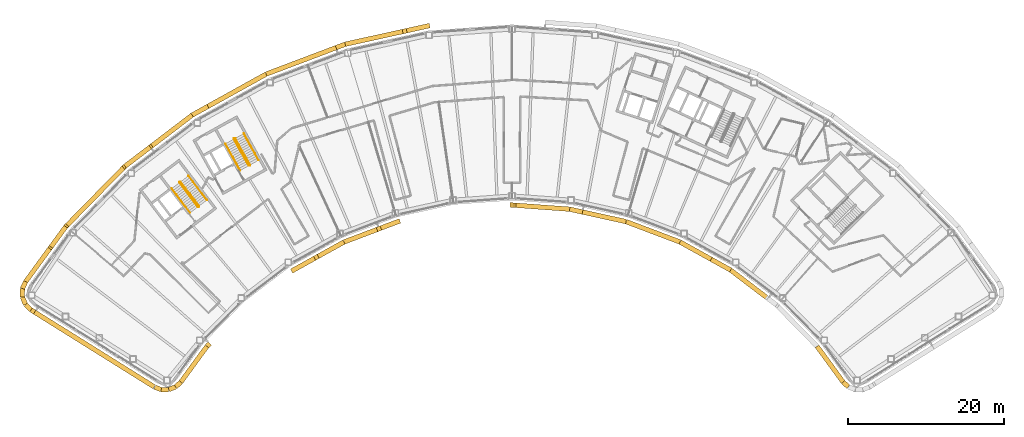
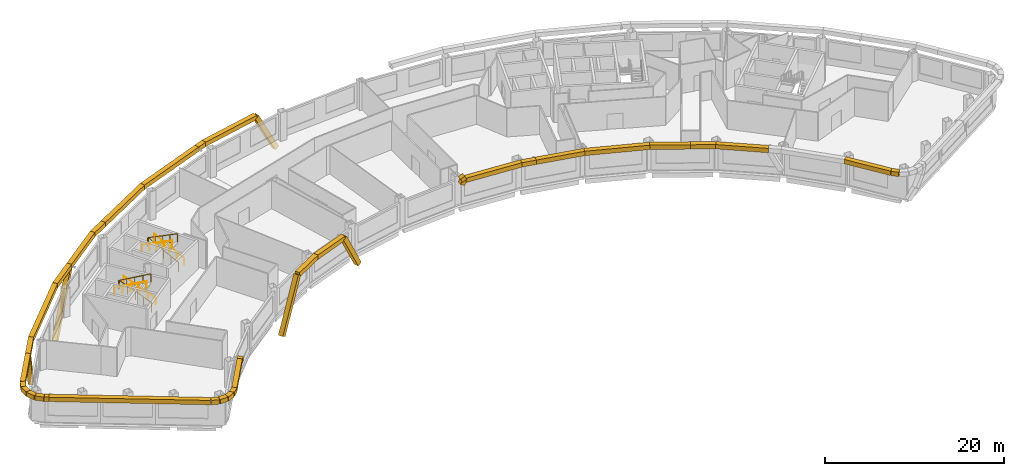
# One storey, part 14 of 16: 40 coverings, 6 railings.
"""IFC4 building model written with IfcOpenShell, lengths in metres."""

import ifcopenshell
import ifcopenshell.guid

model = None  # the IFC model being written
_history = None  # IfcOwnerHistory: only IFC2X3 demands one
_inside = {}  # id of a spatial element -> (the spatial element, [elements in it])
_under = {}  # id of a project, library or spatial element -> (it, [spatial elements below it])
_declared = {}  # id of a project -> (the project, [libraries it declares])
_typed = {}  # id of a type object -> (the type object, [elements of that type])
_made_of = {}  # id of a material, layer set ... -> (it, [elements and type objects made of it])


def new_model(schema):
    """Start an empty IFC model of exactly this schema.

    Asked for "IFC4X3", IfcOpenShell would pick the latest addendum, in which some entities
    have other attributes; the version numbers below select the first issue.
    IFC2X3 requires an IfcOwnerHistory on every rooted entity: one is made here for all.
    """
    global model, _history
    if schema == "IFC4X3":
        model = ifcopenshell.file(schema_version=(4, 3, 0, 0))
    else:
        model = ifcopenshell.file(schema=schema)
    _inside.clear()
    _under.clear()
    _declared.clear()
    _typed.clear()
    _made_of.clear()
    _history = None
    if model.schema == "IFC2X3":
        org = make("IfcOrganization", Name="unknown")
        user = make(
            "IfcPersonAndOrganization",
            ThePerson=make("IfcPerson", FamilyName="unknown"),
            TheOrganization=org,
        )
        app = make(
            "IfcApplication",
            ApplicationDeveloper=org,
            Version="unknown",
            ApplicationFullName="unknown",
            ApplicationIdentifier="unknown",
        )
        _history = make(
            "IfcOwnerHistory",
            OwningUser=user,
            OwningApplication=app,
            ChangeAction="ADDED",
            CreationDate=0,
        )
    return model


def make(cls, **values):
    """One entity of the class cls with the attributes given. An attribute that is None is left unset."""
    return model.create_entity(
        cls, **{name: value for name, value in values.items() if value is not None}
    )


def rooted(cls, **values):
    """An entity with a GlobalId (a new one), such as an element, a storey or a relation."""
    return make(cls, GlobalId=ifcopenshell.guid.new(), OwnerHistory=_history, **values)


def si_unit(unit_type, name, prefix=None):
    """IfcSIUnit, for example si_unit("LENGTHUNIT", "METRE", prefix="MILLI")."""
    return make("IfcSIUnit", UnitType=unit_type, Prefix=prefix, Name=name)


def assignment(units):
    """IfcUnitAssignment: the units of a project."""
    return None if units is None else make("IfcUnitAssignment", Units=units)


def point(xyz):
    """IfcCartesianPoint."""
    return None if xyz is None else make("IfcCartesianPoint", Coordinates=xyz)


def direction(xyz):
    """IfcDirection."""
    return None if xyz is None else make("IfcDirection", DirectionRatios=xyz)


def frame(location, z_axis=None, x_axis=None):
    """IfcAxis2Placement3D, a coordinate frame: its origin and axes. An axis left out is left unset."""
    return make(
        "IfcAxis2Placement3D",
        Location=point(location),
        Axis=direction(z_axis),
        RefDirection=direction(x_axis),
    )


def frame_2d(location, x_axis=None):
    """IfcAxis2Placement2D, a coordinate frame in the plane: its origin and x axis."""
    return make(
        "IfcAxis2Placement2D", Location=point(location), RefDirection=direction(x_axis)
    )


def origin():
    """The frame at (0, 0, 0) with its axes left unset."""
    return frame((0.0, 0.0, 0.0))


def origin_2d():
    """The frame at (0, 0) in the plane with its x axis left unset."""
    return frame_2d((0.0, 0.0))


def place(relative_to, where):
    """IfcLocalPlacement: puts the frame where relative to a parent placement (None: the world)."""
    return make(
        "IfcLocalPlacement", PlacementRelTo=relative_to, RelativePlacement=where
    )


def context(
    kind, dimensions, precision=None, world=None, true_north=None, identifier=None
):
    """IfcGeometricRepresentationContext, for example the 3D "Model" context."""
    return make(
        "IfcGeometricRepresentationContext",
        ContextIdentifier=identifier,
        ContextType=kind,
        CoordinateSpaceDimension=dimensions,
        Precision=precision,
        WorldCoordinateSystem=world,
        TrueNorth=true_north,
    )


def subcontext(parent, identifier, kind, view, scale=None):
    """IfcGeometricRepresentationSubContext, for example "Body" below "Model"."""
    return make(
        "IfcGeometricRepresentationSubContext",
        ContextIdentifier=identifier,
        ContextType=kind,
        ParentContext=parent,
        TargetScale=scale,
        TargetView=view,
    )


def project(units=None, contexts=None):
    """IfcProject with its units and contexts."""
    return rooted(
        "IfcProject",
        Name="project",
        RepresentationContexts=contexts,
        UnitsInContext=assignment(units),
    )


def spatial(cls, under=None, at=None, **own):
    """A site, building, storey or space (cls), placed at a placement, below another one or the project."""
    s = rooted(cls, ObjectPlacement=at, **own)
    if under is not None:
        _under.setdefault(under.id(), (under, []))[1].append(s)
    return s


def profile(cls, at=None, kind="AREA", **sizes):
    """A parametric profile (cls). Its sizes go by their IFC names, for example OverallWidth=200.0."""
    return make(cls, ProfileType=kind, Position=at, **sizes)


def rectangle(**sizes):
    """IfcRectangleProfileDef."""
    return profile("IfcRectangleProfileDef", **sizes)


def circle(**sizes):
    """IfcCircleProfileDef."""
    return profile("IfcCircleProfileDef", **sizes)


def extrude(swept, where, along, depth):
    """IfcExtrudedAreaSolid: the profile swept, set in the frame where, extruded along a direction by depth."""
    return make(
        "IfcExtrudedAreaSolid",
        SweptArea=swept,
        Position=where,
        ExtrudedDirection=direction(along),
        Depth=depth,
    )


def shape(context_of_items, identifier, shape_type, items):
    """IfcShapeRepresentation: the items that make up one representation, for example the "Body"."""
    return make(
        "IfcShapeRepresentation",
        ContextOfItems=context_of_items,
        RepresentationIdentifier=identifier,
        RepresentationType=shape_type,
        Items=items,
    )


def material(Name=None, Category=None):
    """IfcMaterial."""
    return make("IfcMaterial", Name=Name, Category=Category)


def material_profile(
    of_material, cross_section, Name=None, Category=None, Priority=None
):
    """IfcMaterialProfile: a cross section and its material."""
    return make(
        "IfcMaterialProfile",
        Name=Name,
        Material=of_material,
        Profile=cross_section,
        Priority=Priority,
        Category=Category,
    )


def profile_set(profiles, Name=None, composite=None):
    """IfcMaterialProfileSet."""
    return make(
        "IfcMaterialProfileSet",
        Name=Name,
        MaterialProfiles=profiles,
        CompositeProfile=composite,
    )


def made_of(thing, what):
    """Note that an element or type object is made of a material, layer set ...; save() writes the relation."""
    if what is not None:
        _made_of.setdefault(what.id(), (what, []))[1].append(thing)
    return thing


def type_object(cls, material=None, **own):
    """A type object (cls), such as IfcWallType, which elements share."""
    return made_of(rooted(cls, **own), material)


def element(
    cls,
    number,
    at=None,
    inside=None,
    cuts=None,
    type_object=None,
    material=None,
    context=None,
    identifier="Body",
    shape_type=None,
    held_by="IfcProductDefinitionShape",
    body=None,
    shapes=None,
    **own,
):
    """One element of the class cls, such as IfcWall. Its Tag is "e" and its number.

    at: its placement. inside: the storey or other place that contains it. cuts: it is an
    opening in that element (IfcRelVoidsElement). A single representation is given by context,
    identifier, shape_type and body (its items); several are given by shapes. held_by: the class
    of the entity that holds the representations. save() writes the other relations.
    """
    e = rooted(cls, Tag="e%d" % number, ObjectPlacement=at, **own)
    if body is not None:
        shapes = [shape(context, identifier, shape_type, body)]
    if shapes is not None:
        e.Representation = make(held_by, Representations=shapes)
    if inside is not None:
        _inside.setdefault(inside.id(), (inside, []))[1].append(e)
    if cuts is not None:
        rooted(
            "IfcRelVoidsElement", RelatingBuildingElement=cuts, RelatedOpeningElement=e
        )
    if type_object is not None:
        _typed.setdefault(type_object.id(), (type_object, []))[1].append(e)
    return made_of(e, material)


def aggregate(whole, parts):
    """IfcRelAggregates: a whole, such as a stair, and the parts it consists of."""
    return rooted("IfcRelAggregates", RelatingObject=whole, RelatedObjects=parts)


def save(model, path):
    """Write the relations noted so far, then the file.

    IfcRelAggregates (storeys below a building ...), IfcRelContainedInSpatialStructure (elements
    in a storey), IfcRelDefinesByType, IfcRelAssociatesMaterial and IfcRelDeclares: one each for
    every whole, place, type object, material and project.
    """
    for whole, parts in _under.values():
        aggregate(whole, parts)
    for where, things in _inside.values():
        rooted(
            "IfcRelContainedInSpatialStructure",
            RelatedElements=things,
            RelatingStructure=where,
        )
    for kind, things in _typed.values():
        rooted("IfcRelDefinesByType", RelatedObjects=things, RelatingType=kind)
    for what, things in _made_of.values():
        rooted("IfcRelAssociatesMaterial", RelatedObjects=things, RelatingMaterial=what)
    for by, libraries in _declared.values():
        rooted("IfcRelDeclares", RelatingContext=by, RelatedDefinitions=libraries)
    model.write(path)


model = new_model("IFC4")

# Units and contexts
model_context = context("Model", 3, precision=1e-05, world=origin(), true_north=direction((0.0, 1.0)))
body_context = subcontext(model_context, "Body", "Model", "MODEL_VIEW")
ifc_project = project(units=[si_unit("LENGTHUNIT", "METRE"), si_unit("AREAUNIT", "SQUARE_METRE"), si_unit("VOLUMEUNIT", "CUBIC_METRE"), si_unit("PLANEANGLEUNIT", "RADIAN"), si_unit("MASSUNIT", "GRAM", prefix="KILO")], contexts=[model_context])

# Site, building, storey
site_placement = place(None, origin())
site = spatial("IfcSite", under=ifc_project, at=site_placement, CompositionType="ELEMENT")
building_placement = place(site_placement, origin())
building = spatial("IfcBuilding", under=site, at=building_placement, Name="Tuul Gate Civic Tower", CompositionType="ELEMENT")
storey_placement = place(building_placement, frame((0.0, 0.0, 298.39990234375)))
storey = spatial("IfcBuildingStorey", under=building, at=storey_placement, Name="Level 67", CompositionType="ELEMENT", Elevation=298.39990234375)

# Railings
ifc_material_1 = material(Name="Painted steel", Category="steel")
railing_type_1 = type_object("IfcRailingType", Name="Stair guard", PredefinedType="GUARDRAIL", material=ifc_material_1)
railing_1_placement = place(storey_placement, frame((-33.382080078125, -13.515380859375, 0.0)))
element("IfcRailing", 1, at=railing_1_placement, inside=storey, type_object=railing_type_1, Name="Level 67 ST-1 stair guard 1", PredefinedType="GUARDRAIL", context=body_context, shape_type="SweptSolid", body=[
    extrude(circle(Radius=0.02392578125, at=origin_2d()), frame((0.0, 0.0, 1.076171875), z_axis=(-0.795879841968, -0.605454603706, 0.0), x_axis=(0.605454603706, -0.795879841968, 0.0)), (0.0, 0.0, 1.0), 0.10009765625),
    extrude(circle(Radius=0.02392578125, at=origin_2d()), frame((-0.07958984375, -0.060546875, 1.076171875), z_axis=(0.408676696321, 0.599019267211, 0.688592241747), x_axis=(-0.826063974707, 0.563576356576, 0.0)), (0.0, 0.0, 1.0), 0.218017578125),
    extrude(circle(Radius=0.02392578125, at=origin_2d()), frame((0.009521484375, 0.070068359375, 1.22607421875), z_axis=(-0.541824460341, 0.711645023348, 0.447199748346), x_axis=(-0.795637165283, -0.60577347352, 0.0)), (0.0, 0.0, 1.0), 4.3603515625),
    extrude(circle(Radius=0.02392578125, at=origin_2d()), frame((-2.35302734375, 3.173095703125, 3.17626953125), z_axis=(-0.990893089246, 0.134650977284, 0.0), x_axis=(-0.134650977284, -0.990893089246, 0.0)), (0.0, 0.0, 1.0), 0.07080078125),
    extrude(circle(Radius=0.02392578125, at=origin_2d()), frame((-2.423095703125, 3.1826171875, 3.17626953125), z_axis=(-0.793802879778, -0.60817512943, 0.0), x_axis=(0.60817512943, -0.793802879778, 0.0)), (0.0, 0.0, 1.0), 0.099853515625),
    extrude(circle(Radius=0.02392578125, at=origin_2d()), frame((-2.50244140625, 3.121826171875, 3.17626953125), z_axis=(-0.057447065493, -0.422751481959, 0.904423031091), x_axis=(0.990893089246, -0.134650977284, 0.0)), (0.0, 0.0, 1.0), 0.165771484375),
    extrude(circle(Radius=0.02392578125, at=origin_2d()), frame((-2.511962890625, 3.0517578125, 3.326171875), z_axis=(0.541792925989, -0.711621155064, 0.447275929392), x_axis=(0.795644365679, 0.605764016233, 0.0)), (0.0, 0.0, 1.0), 4.360107421875),
    extrude(circle(Radius=0.02099609375, at=origin_2d()), origin(), (0.0, 0.0, 1.0), 1.052001953125),
    extrude(circle(Radius=0.02099609375, at=origin_2d()), frame((-0.07958984375, -0.060546875, 0.0)), (0.0, 0.0, 1.0), 1.052001953125),
    extrude(circle(Radius=0.02099609375, at=origin_2d()), frame((0.009521484375, 0.070068359375, 0.150146484375)), (0.0, 0.0, 1.0), 1.052001953125),
    extrude(circle(Radius=0.02099609375, at=origin_2d()), frame((-0.5810546875, 0.845703125, 0.6376953125)), (0.0, 0.0, 1.0), 1.052001953125),
    extrude(circle(Radius=0.02099609375, at=origin_2d()), frame((-1.171875, 1.62158203125, 1.125)), (0.0, 0.0, 1.0), 1.052001953125),
    extrude(circle(Radius=0.02099609375, at=origin_2d()), frame((-1.762451171875, 2.3974609375, 1.612548828125)), (0.0, 0.0, 1.0), 1.052001953125),
    extrude(circle(Radius=0.02099609375, at=origin_2d()), frame((-2.35302734375, 3.173095703125, 2.10009765625)), (0.0, 0.0, 1.0), 1.052001953125),
    extrude(circle(Radius=0.02099609375, at=origin_2d()), frame((-2.423095703125, 3.1826171875, 2.10009765625)), (0.0, 0.0, 1.0), 1.052001953125),
    extrude(circle(Radius=0.02099609375, at=origin_2d()), frame((-2.50244140625, 3.121826171875, 2.10009765625)), (0.0, 0.0, 1.0), 1.052001953125),
    extrude(circle(Radius=0.02099609375, at=origin_2d()), frame((-2.511962890625, 3.0517578125, 2.25)), (0.0, 0.0, 1.0), 1.052001953125),
    extrude(circle(Radius=0.02099609375, at=origin_2d()), frame((-1.92138671875, 2.276123046875, 2.737548828125)), (0.0, 0.0, 1.0), 1.052001953125),
    extrude(circle(Radius=0.02099609375, at=origin_2d()), frame((-1.330810546875, 1.50048828125, 3.22509765625)), (0.0, 0.0, 1.0), 1.052001953125),
    extrude(circle(Radius=0.02099609375, at=origin_2d()), frame((-0.740234375, 0.724609375, 3.712646484375)), (0.0, 0.0, 1.0), 1.052001953125),
    extrude(circle(Radius=0.02099609375, at=origin_2d()), frame((-0.149658203125, -0.051025390625, 4.2001953125)), (0.0, 0.0, 1.0), 1.052001953125),
])
railing_2_placement = place(storey_placement, frame((-26.857666015625, -8.247314453125, 0.0)))
element("IfcRailing", 2, at=railing_2_placement, inside=storey, type_object=railing_type_1, Name="Level 67 ST-2 stair guard 1", PredefinedType="GUARDRAIL", context=body_context, shape_type="SweptSolid", body=[
    extrude(circle(Radius=0.02392578125, at=origin_2d()), frame((0.0, 0.0, 1.076171875), z_axis=(-0.874616555828, -0.48481530532, 0.0), x_axis=(0.48481530532, -0.874616555828, 0.0)), (0.0, 0.0, 1.0), 0.10009765625),
    extrude(circle(Radius=0.02392578125, at=origin_2d()), frame((-0.087646484375, -0.048583984375, 1.076171875), z_axis=(0.490435707169, 0.534104639999, 0.688625479244), x_axis=(-0.736576986774, 0.676353711126, 0.0)), (0.0, 0.0, 1.0), 0.218017578125),
    extrude(circle(Radius=0.02392578125, at=origin_2d()), frame((0.019287109375, 0.06787109375, 1.22607421875), z_axis=(-0.43354991378, 0.782327185242, 0.447212083348), x_axis=(-0.874667644053, -0.484723129681, 0.0)), (0.0, 0.0, 1.0), 4.3603515625),
    extrude(circle(Radius=0.02392578125, at=origin_2d()), frame((-1.87109375, 3.47900390625, 3.17626953125), z_axis=(-0.961263487578, 0.275631107549, 0.0), x_axis=(-0.275631107549, -0.961263487578, 0.0)), (0.0, 0.0, 1.0), 0.07080078125),
    extrude(circle(Radius=0.02392578125, at=origin_2d()), frame((-1.939208984375, 3.49853515625, 3.17626953125), z_axis=(-0.874042088414, -0.485850211157, 0.0), x_axis=(0.485850211157, -0.874042088414, 0.0)), (0.0, 0.0, 1.0), 0.10009765625),
    extrude(circle(Radius=0.02392578125, at=origin_2d()), frame((-2.026611328125, 3.449951171875, 3.17626953125), z_axis=(-0.117866478395, -0.409586012422, 0.90462522168), x_axis=(0.961000426733, -0.276546885391, 0.0)), (0.0, 0.0, 1.0), 0.165771484375),
    extrude(circle(Radius=0.02392578125, at=origin_2d()), frame((-2.046142578125, 3.382080078125, 3.326171875), z_axis=(0.433584522764, -0.782288604346, 0.447246018574), x_axis=(0.874641102302, 0.484771020343, 0.0)), (0.0, 0.0, 1.0), 4.3603515625),
    extrude(circle(Radius=0.02099609375, at=origin_2d()), origin(), (0.0, 0.0, 1.0), 1.052001953125),
    extrude(circle(Radius=0.02099609375, at=origin_2d()), frame((-0.087646484375, -0.048583984375, 0.0)), (0.0, 0.0, 1.0), 1.052001953125),
    extrude(circle(Radius=0.02099609375, at=origin_2d()), frame((0.019287109375, 0.06787109375, 0.150146484375)), (0.0, 0.0, 1.0), 1.052001953125),
    extrude(circle(Radius=0.02099609375, at=origin_2d()), frame((-0.453369140625, 0.920654296875, 0.6376953125)), (0.0, 0.0, 1.0), 1.052001953125),
    extrude(circle(Radius=0.02099609375, at=origin_2d()), frame((-0.92578125, 1.7734375, 1.125)), (0.0, 0.0, 1.0), 1.052001953125),
    extrude(circle(Radius=0.02099609375, at=origin_2d()), frame((-1.3984375, 2.626220703125, 1.612548828125)), (0.0, 0.0, 1.0), 1.052001953125),
    extrude(circle(Radius=0.02099609375, at=origin_2d()), frame((-1.87109375, 3.47900390625, 2.10009765625)), (0.0, 0.0, 1.0), 1.052001953125),
    extrude(circle(Radius=0.02099609375, at=origin_2d()), frame((-1.939208984375, 3.49853515625, 2.10009765625)), (0.0, 0.0, 1.0), 1.052001953125),
    extrude(circle(Radius=0.02099609375, at=origin_2d()), frame((-2.026611328125, 3.449951171875, 2.10009765625)), (0.0, 0.0, 1.0), 1.052001953125),
    extrude(circle(Radius=0.02099609375, at=origin_2d()), frame((-2.046142578125, 3.382080078125, 2.25)), (0.0, 0.0, 1.0), 1.052001953125),
    extrude(circle(Radius=0.02099609375, at=origin_2d()), frame((-1.573486328125, 2.529296875, 2.737548828125)), (0.0, 0.0, 1.0), 1.052001953125),
    extrude(circle(Radius=0.02099609375, at=origin_2d()), frame((-1.100830078125, 1.676513671875, 3.22509765625)), (0.0, 0.0, 1.0), 1.052001953125),
    extrude(circle(Radius=0.02099609375, at=origin_2d()), frame((-0.628173828125, 0.82373046875, 3.712646484375)), (0.0, 0.0, 1.0), 1.052001953125),
    extrude(circle(Radius=0.02099609375, at=origin_2d()), frame((-0.155517578125, -0.029052734375, 4.2001953125)), (0.0, 0.0, 1.0), 1.052001953125),
])
ifc_material_2 = material(Name="Painted steel", Category="steel")
railing_type_2 = type_object("IfcRailingType", Name="Stair handrail", PredefinedType="HANDRAIL", material=ifc_material_2)
railing_3_placement = place(storey_placement, frame((-32.3779296875, -12.688232421875, 0.150146484375)))
element("IfcRailing", 3, at=railing_3_placement, inside=storey, type_object=railing_type_2, Name="Level 67 ST-1 stair handrail 1", PredefinedType="HANDRAIL", context=body_context, shape_type="SweptSolid", body=[
    extrude(circle(Radius=0.02392578125, at=origin_2d()), frame((0.0, 0.0, 0.8759765625), z_axis=(-0.541824460341, 0.711645023348, 0.447199748346), x_axis=(-0.795637165283, -0.60577347352, 0.0)), (0.0, 0.0, 1.0), 4.3603515625),
    extrude(circle(Radius=0.02099609375, at=origin_2d()), origin(), (0.0, 0.0, 1.0), 0.851806640625),
    extrude(circle(Radius=0.02099609375, at=origin_2d()), frame((-0.590576171875, 0.77587890625, 0.487548828125)), (0.0, 0.0, 1.0), 0.851806640625),
    extrude(circle(Radius=0.02099609375, at=origin_2d()), frame((-1.18115234375, 1.551513671875, 0.97509765625)), (0.0, 0.0, 1.0), 0.851806640625),
    extrude(circle(Radius=0.02099609375, at=origin_2d()), frame((-1.77197265625, 2.3271484375, 1.46240234375)), (0.0, 0.0, 1.0), 0.851806640625),
    extrude(circle(Radius=0.02099609375, at=origin_2d()), frame((-2.362548828125, 3.10302734375, 1.949951171875)), (0.0, 0.0, 1.0), 0.851806640625),
])
railing_4_placement = place(storey_placement, frame((-36.888671875, -11.220703125, 2.25)))
element("IfcRailing", 4, at=railing_4_placement, inside=storey, type_object=railing_type_2, Name="Level 67 ST-1 stair handrail 2", PredefinedType="HANDRAIL", context=body_context, shape_type="SweptSolid", body=[
    extrude(circle(Radius=0.02392578125, at=origin_2d()), frame((0.0, 0.0, 0.8759765625), z_axis=(0.541810893183, -0.711627203922, 0.44724454012), x_axis=(0.795637165283, 0.60577347352, 0.0)), (0.0, 0.0, 1.0), 4.3603515625),
    extrude(circle(Radius=0.02099609375, at=origin_2d()), origin(), (0.0, 0.0, 1.0), 0.851806640625),
    extrude(circle(Radius=0.02099609375, at=origin_2d()), frame((0.590576171875, -0.77587890625, 0.487548828125)), (0.0, 0.0, 1.0), 0.851806640625),
    extrude(circle(Radius=0.02099609375, at=origin_2d()), frame((1.18115234375, -1.551513671875, 0.97509765625)), (0.0, 0.0, 1.0), 0.851806640625),
    extrude(circle(Radius=0.02099609375, at=origin_2d()), frame((1.77197265625, -2.3271484375, 1.462646484375)), (0.0, 0.0, 1.0), 0.851806640625),
    extrude(circle(Radius=0.02099609375, at=origin_2d()), frame((2.362548828125, -3.10302734375, 1.9501953125)), (0.0, 0.0, 1.0), 0.851806640625),
])
railing_5_placement = place(storey_placement, frame((-25.744873046875, -7.573486328125, 0.150146484375)))
element("IfcRailing", 5, at=railing_5_placement, inside=storey, type_object=railing_type_2, Name="Level 67 ST-2 stair handrail 1", PredefinedType="HANDRAIL", context=body_context, shape_type="SweptSolid", body=[
    extrude(circle(Radius=0.02392578125, at=origin_2d()), frame((0.0, 0.0, 0.8759765625), z_axis=(-0.433595379963, 0.782308193291, 0.447201226726), x_axis=(-0.874641102302, -0.484771020343, 0.0)), (0.0, 0.0, 1.0), 4.3603515625),
    extrude(circle(Radius=0.02099609375, at=origin_2d()), origin(), (0.0, 0.0, 1.0), 0.851806640625),
    extrude(circle(Radius=0.02099609375, at=origin_2d()), frame((-0.47265625, 0.852783203125, 0.487548828125)), (0.0, 0.0, 1.0), 0.851806640625),
    extrude(circle(Radius=0.02099609375, at=origin_2d()), frame((-0.9453125, 1.70556640625, 0.97509765625)), (0.0, 0.0, 1.0), 0.851806640625),
    extrude(circle(Radius=0.02099609375, at=origin_2d()), frame((-1.41796875, 2.558349609375, 1.46240234375)), (0.0, 0.0, 1.0), 0.851806640625),
    extrude(circle(Radius=0.02099609375, at=origin_2d()), frame((-1.890625, 3.4111328125, 1.949951171875)), (0.0, 0.0, 1.0), 0.851806640625),
])
railing_6_placement = place(storey_placement, frame((-29.9970703125, -5.47119140625, 2.25)))
element("IfcRailing", 6, at=railing_6_placement, inside=storey, type_object=railing_type_2, Name="Level 67 ST-2 stair handrail 2", PredefinedType="HANDRAIL", context=body_context, shape_type="SweptSolid", body=[
    extrude(circle(Radius=0.02392578125, at=origin_2d()), frame((0.0, 0.0, 0.8759765625), z_axis=(0.433584522764, -0.782288604346, 0.447246018574), x_axis=(0.874641102302, 0.484771020343, 0.0)), (0.0, 0.0, 1.0), 4.3603515625),
    extrude(circle(Radius=0.02099609375, at=origin_2d()), origin(), (0.0, 0.0, 1.0), 0.851806640625),
    extrude(circle(Radius=0.02099609375, at=origin_2d()), frame((0.47265625, -0.852783203125, 0.487548828125)), (0.0, 0.0, 1.0), 0.851806640625),
    extrude(circle(Radius=0.02099609375, at=origin_2d()), frame((0.9453125, -1.70556640625, 0.97509765625)), (0.0, 0.0, 1.0), 0.851806640625),
    extrude(circle(Radius=0.02099609375, at=origin_2d()), frame((1.41796875, -2.558349609375, 1.462646484375)), (0.0, 0.0, 1.0), 0.851806640625),
    extrude(circle(Radius=0.02099609375, at=origin_2d()), frame((1.890625, -3.4111328125, 1.9501953125)), (0.0, 0.0, 1.0), 0.851806640625),
])

# Coverings
ifc_material_3 = material(Name="Terracotta baguette", Category="masonry")
ifc_material_profile = material_profile(ifc_material_3, rectangle(XDim=0.60009765625, YDim=0.60009765625, at=origin_2d()), Name="Terracotta baguette screen frame")
ifc_profile_set = profile_set([ifc_material_profile], Name="Terracotta baguette")
covering_type = type_object("IfcCoveringType", Name="Terracotta baguette screen frame", PredefinedType="CLADDING", material=ifc_profile_set)
covering_1_placement = place(storey_placement, frame((-4.034423828125, 9.651123046875, -1.755126953125), z_axis=(-0.464034911858, -0.102250177142, 0.879895733511), x_axis=(0.215187960952, -0.976572650376, 0.0)))
element("IfcCovering", 7, at=covering_1_placement, inside=storey, type_object=covering_type, Name="Baguette 82", PredefinedType="CLADDING", context=body_context, shape_type="SweptSolid", body=[
    extrude(rectangle(XDim=0.60009765625, YDim=0.60009765625, at=origin_2d()), origin(), (0.0, 0.0, 1.0), 6.370361328125),
])
covering_2_placement = place(storey_placement, frame((-6.990478515625, 8.999755859375, 3.85009765625), z_axis=(-0.976562944913, -0.215232001854, 0.0), x_axis=(0.215232001854, -0.976562944913, 0.0)))
element("IfcCovering", 8, at=covering_2_placement, inside=storey, type_object=covering_type, Name="Baguette 89", PredefinedType="CLADDING", context=body_context, shape_type="SweptSolid", body=[
    extrude(rectangle(XDim=0.60009765625, YDim=0.60009765625, at=origin_2d()), origin(), (0.0, 0.0, 1.0), 7.824462890625),
])
covering_3_placement = place(storey_placement, frame((-14.631591796875, 7.315673828125, 3.85009765625), z_axis=(-0.935352745891, -0.353716328084, 0.0), x_axis=(0.353716328084, -0.935352745891, 0.0)))
element("IfcCovering", 9, at=covering_3_placement, inside=storey, type_object=covering_type, Name="Baguette 90", PredefinedType="CLADDING", context=body_context, shape_type="SweptSolid", body=[
    extrude(rectangle(XDim=0.60009765625, YDim=0.60009765625, at=origin_2d()), origin(), (0.0, 0.0, 1.0), 1.247802734375),
])
covering_4_placement = place(storey_placement, frame((-32.251953125, -0.663818359375, 3.85009765625), z_axis=(-0.874660372836, -0.48473625013, 0.0), x_axis=(0.48473625013, -0.874660372836, 0.0)))
element("IfcCovering", 10, at=covering_4_placement, inside=storey, type_object=covering_type, Name="Baguette 107", PredefinedType="CLADDING", context=body_context, shape_type="SweptSolid", body=[
    extrude(rectangle(XDim=0.60009765625, YDim=0.60009765625, at=origin_2d()), origin(), (0.0, 0.0, 1.0), 2.309814453125),
])
covering_5_placement = place(storey_placement, frame((-34.272216796875, -1.783447265625, 3.85009765625), z_axis=(-0.795603234686, -0.605818036177, 0.0), x_axis=(0.605818036177, -0.795603234686, 0.0)))
element("IfcCovering", 11, at=covering_5_placement, inside=storey, type_object=covering_type, Name="Baguette 108", PredefinedType="CLADDING", context=body_context, shape_type="SweptSolid", body=[
    extrude(rectangle(XDim=0.60009765625, YDim=0.60009765625, at=origin_2d()), origin(), (0.0, 0.0, 1.0), 6.7626953125),
])
covering_6_placement = place(storey_placement, frame((-39.652587890625, -5.88037109375, 3.85009765625), z_axis=(-0.378051292812, -0.28785127331, -0.879897076059), x_axis=(0.605793108402, -0.79562221551, 0.0)))
element("IfcCovering", 12, at=covering_6_placement, inside=storey, type_object=covering_type, Name="Baguette 111", PredefinedType="CLADDING", context=body_context, shape_type="SweptSolid", body=[
    extrude(rectangle(XDim=0.60009765625, YDim=0.60009765625, at=origin_2d()), origin(), (0.0, 0.0, 1.0), 8.6044921875),
])
covering_7_placement = place(storey_placement, frame((-50.501708984375, -16.105712890625, -2.085693359375), z_axis=(-0.281341633683, -0.385267780007, 0.878871789765), x_axis=(0.807590994458, -0.589742982723, 0.0)))
element("IfcCovering", 13, at=covering_7_placement, inside=storey, type_object=covering_type, Name="Baguette 124", PredefinedType="CLADDING", context=body_context, shape_type="SweptSolid", body=[
    extrude(rectangle(XDim=0.60009765625, YDim=0.60009765625, at=origin_2d()), origin(), (0.0, 0.0, 1.0), 6.75390625),
])
covering_8_placement = place(storey_placement, frame((-52.40185546875, -18.707763671875, 3.85009765625), z_axis=(-0.589747855269, -0.807587436261, 0.0), x_axis=(0.807587436261, -0.589747855269, 0.0)))
element("IfcCovering", 14, at=covering_8_placement, inside=storey, type_object=covering_type, Name="Baguette 135", PredefinedType="CLADDING", context=body_context, shape_type="SweptSolid", body=[
    extrude(rectangle(XDim=0.60009765625, YDim=0.60009765625, at=origin_2d()), origin(), (0.0, 0.0, 1.0), 5.512939453125),
])
covering_9_placement = place(storey_placement, frame((-55.653076171875, -23.159912109375, 3.85009765625), z_axis=(-0.413393330634, -0.910552554325, 0.0), x_axis=(0.910552554325, -0.413393330634, 0.0)))
element("IfcCovering", 15, at=covering_9_placement, inside=storey, type_object=covering_type, Name="Baguette 136", PredefinedType="CLADDING", context=body_context, shape_type="SweptSolid", body=[
    extrude(rectangle(XDim=0.60009765625, YDim=0.60009765625, at=origin_2d()), origin(), (0.0, 0.0, 1.0), 0.988037109375),
])
covering_10_placement = place(storey_placement, frame((-56.0615234375, -24.0595703125, 3.85009765625), z_axis=(-0.014627006458, -0.999893019619, 0.0), x_axis=(0.999893019619, -0.014627006458, 0.0)))
element("IfcCovering", 16, at=covering_10_placement, inside=storey, type_object=covering_type, Name="Baguette 137", PredefinedType="CLADDING", context=body_context, shape_type="SweptSolid", body=[
    extrude(rectangle(XDim=0.60009765625, YDim=0.60009765625, at=origin_2d()), origin(), (0.0, 0.0, 1.0), 1.068115234375),
])
covering_11_placement = place(storey_placement, frame((-56.0771484375, -25.127685546875, 3.85009765625), z_axis=(0.386726676251, -0.922194381829, 0.0), x_axis=(0.922194381829, 0.386726676251, 0.0)))
element("IfcCovering", 17, at=covering_11_placement, inside=storey, type_object=covering_type, Name="Baguette 138", PredefinedType="CLADDING", context=body_context, shape_type="SweptSolid", body=[
    extrude(rectangle(XDim=0.60009765625, YDim=0.60009765625, at=origin_2d()), origin(), (0.0, 0.0, 1.0), 1.06689453125),
])
covering_12_placement = place(storey_placement, frame((-55.66455078125, -26.111572265625, 3.85009765625), z_axis=(0.721550422979, -0.69236189027, 0.0), x_axis=(0.69236189027, 0.721550422979, 0.0)))
element("IfcCovering", 18, at=covering_12_placement, inside=storey, type_object=covering_type, Name="Baguette 139", PredefinedType="CLADDING", context=body_context, shape_type="SweptSolid", body=[
    extrude(rectangle(XDim=0.60009765625, YDim=0.60009765625, at=origin_2d()), origin(), (0.0, 0.0, 1.0), 0.987060546875),
])
covering_13_placement = place(storey_placement, frame((-54.952392578125, -26.794921875, 3.85009765625), z_axis=(0.848304313785, -0.529509009568, 0.0), x_axis=(0.529509009568, 0.848304313785, 0.0)))
element("IfcCovering", 19, at=covering_13_placement, inside=storey, type_object=covering_type, Name="Baguette 140", PredefinedType="CLADDING", context=body_context, shape_type="SweptSolid", body=[
    extrude(rectangle(XDim=0.60009765625, YDim=0.60009765625, at=origin_2d()), origin(), (0.0, 0.0, 1.0), 0.53759765625),
])
covering_14_placement = place(storey_placement, frame((-39.0966796875, -36.702392578125, 3.85009765625), z_axis=(0.932070663417, -0.362276522007, 0.0), x_axis=(0.362276522007, 0.932070663417, 0.0)))
element("IfcCovering", 20, at=covering_14_placement, inside=storey, type_object=covering_type, Name="Baguette 165", PredefinedType="CLADDING", context=body_context, shape_type="SweptSolid", body=[
    extrude(rectangle(XDim=0.60009765625, YDim=0.60009765625, at=origin_2d()), origin(), (0.0, 0.0, 1.0), 0.90234375),
])
covering_15_placement = place(storey_placement, frame((-38.255615234375, -37.029296875, 3.85009765625), z_axis=(0.999996190252, 0.002760340801, 0.0), x_axis=(-0.002760340801, 0.999996190252, 0.0)))
element("IfcCovering", 21, at=covering_15_placement, inside=storey, type_object=covering_type, Name="Baguette 166", PredefinedType="CLADDING", context=body_context, shape_type="SweptSolid", body=[
    extrude(rectangle(XDim=0.60009765625, YDim=0.60009765625, at=origin_2d()), origin(), (0.0, 0.0, 1.0), 0.972900390625),
])
covering_16_placement = place(storey_placement, frame((-37.28271484375, -37.026611328125, 3.85009765625), z_axis=(0.92951118864, 0.368793912902, 0.0), x_axis=(-0.368793912902, 0.92951118864, 0.0)))
element("IfcCovering", 22, at=covering_16_placement, inside=storey, type_object=covering_type, Name="Baguette 167", PredefinedType="CLADDING", context=body_context, shape_type="SweptSolid", body=[
    extrude(rectangle(XDim=0.60009765625, YDim=0.60009765625, at=origin_2d()), origin(), (0.0, 0.0, 1.0), 0.97314453125),
])
covering_17_placement = place(storey_placement, frame((-36.378173828125, -36.667724609375, 3.85009765625), z_axis=(0.729874818013, 0.683580829185, 0.0), x_axis=(-0.683580829185, 0.729874818013, 0.0)))
element("IfcCovering", 23, at=covering_17_placement, inside=storey, type_object=covering_type, Name="Baguette 168", PredefinedType="CLADDING", context=body_context, shape_type="SweptSolid", body=[
    extrude(rectangle(XDim=0.60009765625, YDim=0.60009765625, at=origin_2d()), origin(), (0.0, 0.0, 1.0), 0.90185546875),
])
covering_18_placement = place(storey_placement, frame((-35.719970703125, -36.05126953125, 3.85009765625), z_axis=(0.589729447422, 0.807600878432, 0.0), x_axis=(-0.807600878432, 0.589729447422, 0.0)))
element("IfcCovering", 24, at=covering_18_placement, inside=storey, type_object=covering_type, Name="Baguette 169", PredefinedType="CLADDING", context=body_context, shape_type="SweptSolid", body=[
    extrude(rectangle(XDim=0.60009765625, YDim=0.60009765625, at=origin_2d()), origin(), (0.0, 0.0, 1.0), 5.671142578125),
])
covering_19_placement = place(storey_placement, frame((-32.37548828125, -31.47119140625, 3.85009765625), z_axis=(0.700143080351, 0.714002567948, 0.0), x_axis=(-0.714002567948, 0.700143080351, 0.0)))
element("IfcCovering", 25, at=covering_19_placement, inside=storey, type_object=covering_type, Name="Baguette 170", PredefinedType="CLADDING", context=body_context, shape_type="SweptSolid", body=[
    extrude(rectangle(XDim=0.60009765625, YDim=0.60009765625, at=origin_2d()), origin(), (0.0, 0.0, 1.0), 0.5107421875),
])
covering_20_placement = place(storey_placement, frame((-21.281005859375, -21.6796875, -2.56201171875), z_axis=(0.407721193209, 0.225991530506, 0.884698398748), x_axis=(-0.48478990003, 0.874630637943, 0.0)))
element("IfcCovering", 26, at=covering_20_placement, inside=storey, type_object=covering_type, Name="Baguette 189", PredefinedType="CLADDING", context=body_context, shape_type="SweptSolid", body=[
    extrude(rectangle(XDim=0.60009765625, YDim=0.60009765625, at=origin_2d()), origin(), (0.0, 0.0, 1.0), 7.247802734375),
])
covering_21_placement = place(storey_placement, frame((-18.325927734375, -20.041748046875, 3.85009765625), z_axis=(0.874604491332, 0.484837069274, 0.0), x_axis=(-0.484837069274, 0.874604491332, 0.0)))
element("IfcCovering", 27, at=covering_21_placement, inside=storey, type_object=covering_type, Name="Baguette 196", PredefinedType="CLADDING", context=body_context, shape_type="SweptSolid", body=[
    extrude(rectangle(XDim=0.60009765625, YDim=0.60009765625, at=origin_2d()), origin(), (0.0, 0.0, 1.0), 4.03955078125),
])
covering_22_placement = place(storey_placement, frame((-14.79296875, -18.083251953125, 3.85009765625), z_axis=(0.935362476844, 0.353690594889, 0.0), x_axis=(-0.353690594889, 0.935362476844, 0.0)))
element("IfcCovering", 28, at=covering_22_placement, inside=storey, type_object=covering_type, Name="Baguette 197", PredefinedType="CLADDING", context=body_context, shape_type="SweptSolid", body=[
    extrude(rectangle(XDim=0.60009765625, YDim=0.60009765625, at=origin_2d()), origin(), (0.0, 0.0, 1.0), 4.8125),
])
covering_23_placement = place(storey_placement, frame((-10.29150390625, -16.381103515625, 3.85009765625), z_axis=(0.436020798498, 0.164850981119, -0.884709001481), x_axis=(-0.353648388587, 0.935378435314, 0.0)))
element("IfcCovering", 29, at=covering_23_placement, inside=storey, type_object=covering_type, Name="Baguette 200", PredefinedType="CLADDING", context=body_context, shape_type="SweptSolid", body=[
    extrude(rectangle(XDim=0.60009765625, YDim=0.60009765625, at=origin_2d()), origin(), (0.0, 0.0, 1.0), 5.589111328125),
])
for number, where, z_axis, x_axis, name in (
    (30, (6.7880859375, -13.326904296875, 3.3515625), (0.464891021363, -0.033794501087, 0.884722707944), (0.072502073076, 0.997368261677, 0.0), "Baguette 215"),
    (31, (6.7880859375, -13.326904296875, 4.3486328125), (0.464891021363, -0.033794501087, -0.884722707944), (0.072502073076, 0.997368261677, 0.0), "Baguette 217"),
):
    element("IfcCovering", number, at=place(storey_placement, frame(where, z_axis=z_axis, x_axis=x_axis)), inside=storey, type_object=covering_type, Name=name, PredefinedType="CLADDING", context=body_context, shape_type="SweptSolid", body=[
        extrude(rectangle(XDim=0.60009765625, YDim=0.60009765625, at=origin_2d()), origin(), (0.0, 0.0, 1.0), 0.5634765625),
    ])
covering_24_placement = place(storey_placement, frame((7.050048828125, -13.345947265625, 3.85009765625), z_axis=(0.997385259367, -0.072267865599, 0.0), x_axis=(0.072267865599, 0.997385259367, 0.0)))
element("IfcCovering", 32, at=covering_24_placement, inside=storey, type_object=covering_type, Name="Baguette 222", PredefinedType="CLADDING", context=body_context, shape_type="SweptSolid", body=[
    extrude(rectangle(XDim=0.60009765625, YDim=0.60009765625, at=origin_2d()), origin(), (0.0, 0.0, 1.0), 7.1552734375),
])
covering_25_placement = place(storey_placement, frame((14.1865234375, -13.863037109375, 3.85009765625), z_axis=(0.976558033937, -0.215254283007, 0.0), x_axis=(0.215254283007, 0.976558033937, 0.0)))
element("IfcCovering", 33, at=covering_25_placement, inside=storey, type_object=covering_type, Name="Baguette 223", PredefinedType="CLADDING", context=body_context, shape_type="SweptSolid", body=[
    extrude(rectangle(XDim=0.60009765625, YDim=0.60009765625, at=origin_2d()), origin(), (0.0, 0.0, 1.0), 1.69677734375),
])
covering_26_placement = place(storey_placement, frame((32.361572265625, -20.29638671875, 3.85009765625), z_axis=(0.874604932638, -0.484836273195, 0.0), x_axis=(0.484836273195, 0.874604932638, 0.0)))
element("IfcCovering", 34, at=covering_26_placement, inside=storey, type_object=covering_type, Name="Baguette 242", PredefinedType="CLADDING", context=body_context, shape_type="SweptSolid", body=[
    extrude(rectangle(XDim=0.60009765625, YDim=0.60009765625, at=origin_2d()), origin(), (0.0, 0.0, 1.0), 2.85302734375),
])
covering_27_placement = place(storey_placement, frame((34.85693359375, -21.6796875, 3.85009765625), z_axis=(0.795563429455, -0.605870307668, 0.0), x_axis=(0.605870307668, 0.795563429455, 0.0)))
element("IfcCovering", 35, at=covering_27_placement, inside=storey, type_object=covering_type, Name="Baguette 243", PredefinedType="CLADDING", context=body_context, shape_type="SweptSolid", body=[
    extrude(rectangle(XDim=0.60009765625, YDim=0.60009765625, at=origin_2d()), origin(), (0.0, 0.0, 1.0), 5.998779296875),
])
covering_28_placement = place(storey_placement, frame((-15.798828125, 6.874267578125, 3.85009765625), z_axis=(-0.935344466334, -0.353738221428, 0.0), x_axis=(0.353738221428, -0.935344466334, 0.0)))
element("IfcCovering", 36, at=covering_28_placement, inside=storey, type_object=covering_type, Name="Baguette 314", PredefinedType="CLADDING", context=body_context, shape_type="SweptSolid", body=[
    extrude(rectangle(XDim=0.60009765625, YDim=0.60009765625, at=origin_2d()), origin(), (0.0, 0.0, 1.0), 9.60302734375),
])
covering_29_placement = place(storey_placement, frame((-24.781005859375, 3.477294921875, 3.85009765625), z_axis=(-0.874624691551, -0.484800628021, 0.0), x_axis=(0.484800628021, -0.874624691551, 0.0)))
element("IfcCovering", 37, at=covering_29_placement, inside=storey, type_object=covering_type, Name="Baguette 315", PredefinedType="CLADDING", context=body_context, shape_type="SweptSolid", body=[
    extrude(rectangle(XDim=0.60009765625, YDim=0.60009765625, at=origin_2d()), origin(), (0.0, 0.0, 1.0), 8.5419921875),
])
covering_30_placement = place(storey_placement, frame((-39.652587890625, -5.88037109375, 3.85009765625), z_axis=(-0.79562221551, -0.605793108402, 0.0), x_axis=(0.605793108402, -0.79562221551, 0.0)))
element("IfcCovering", 38, at=covering_30_placement, inside=storey, type_object=covering_type, Name="Baguette 319", PredefinedType="CLADDING", context=body_context, shape_type="SweptSolid", body=[
    extrude(rectangle(XDim=0.60009765625, YDim=0.60009765625, at=origin_2d()), origin(), (0.0, 0.0, 1.0), 4.088623046875),
])
covering_31_placement = place(storey_placement, frame((-42.905517578125, -8.357177734375, 3.85009765625), z_axis=(-0.70005206482, -0.714091805401, 0.0), x_axis=(0.714091805401, -0.70005206482, 0.0)))
element("IfcCovering", 39, at=covering_31_placement, inside=storey, type_object=covering_type, Name="Baguette 320", PredefinedType="CLADDING", context=body_context, shape_type="SweptSolid", body=[
    extrude(rectangle(XDim=0.60009765625, YDim=0.60009765625, at=origin_2d()), origin(), (0.0, 0.0, 1.0), 10.850830078125),
])
covering_32_placement = place(storey_placement, frame((-50.501708984375, -16.105712890625, 3.85009765625), z_axis=(-0.589742982723, -0.807590994458, 0.0), x_axis=(0.807590994458, -0.589742982723, 0.0)))
element("IfcCovering", 40, at=covering_32_placement, inside=storey, type_object=covering_type, Name="Baguette 321", PredefinedType="CLADDING", context=body_context, shape_type="SweptSolid", body=[
    extrude(rectangle(XDim=0.60009765625, YDim=0.60009765625, at=origin_2d()), origin(), (0.0, 0.0, 1.0), 3.221923828125),
])
covering_33_placement = place(storey_placement, frame((-54.496337890625, -27.07958984375, 3.85009765625), z_axis=(0.848046779804, -0.529921370832, 0.0), x_axis=(0.529921370832, 0.848046779804, 0.0)))
element("IfcCovering", 41, at=covering_33_placement, inside=storey, type_object=covering_type, Name="Baguette 336", PredefinedType="CLADDING", context=body_context, shape_type="SweptSolid", body=[
    extrude(rectangle(XDim=0.60009765625, YDim=0.60009765625, at=origin_2d()), origin(), (0.0, 0.0, 1.0), 18.10693359375),
])
covering_34_placement = place(storey_placement, frame((15.843505859375, -14.228271484375, 3.85009765625), z_axis=(0.97655913888, -0.21524927008, 0.0), x_axis=(0.21524927008, 0.97655913888, 0.0)))
element("IfcCovering", 42, at=covering_34_placement, inside=storey, type_object=covering_type, Name="Baguette 358", PredefinedType="CLADDING", context=body_context, shape_type="SweptSolid", body=[
    extrude(rectangle(XDim=0.60009765625, YDim=0.60009765625, at=origin_2d()), origin(), (0.0, 0.0, 1.0), 5.720947265625),
])
covering_35_placement = place(storey_placement, frame((21.430419921875, -15.459716796875, 3.85009765625), z_axis=(0.935368082117, -0.353675770951, 0.0), x_axis=(0.353675770951, 0.935368082117, 0.0)))
element("IfcCovering", 43, at=covering_35_placement, inside=storey, type_object=covering_type, Name="Baguette 359", PredefinedType="CLADDING", context=body_context, shape_type="SweptSolid", body=[
    extrude(rectangle(XDim=0.60009765625, YDim=0.60009765625, at=origin_2d()), origin(), (0.0, 0.0, 1.0), 7.41796875),
])
covering_36_placement = place(storey_placement, frame((28.368896484375, -18.083251953125, 3.85009765625), z_axis=(0.874623567378, -0.484802656126, 0.0), x_axis=(0.484802656126, 0.874623567378, 0.0)))
element("IfcCovering", 44, at=covering_36_placement, inside=storey, type_object=covering_type, Name="Baguette 360", PredefinedType="CLADDING", context=body_context, shape_type="SweptSolid", body=[
    extrude(rectangle(XDim=0.60009765625, YDim=0.60009765625, at=origin_2d()), origin(), (0.0, 0.0, 1.0), 4.56494140625),
])
covering_37_placement = place(storey_placement, frame((45.951416015625, -31.47119140625, 3.85009765625), z_axis=(0.589834173265, -0.807524394708, 0.0), x_axis=(0.807524394708, 0.589834173265, 0.0)))
element("IfcCovering", 45, at=covering_37_placement, inside=storey, type_object=covering_type, Name="Baguette 366", PredefinedType="CLADDING", context=body_context, shape_type="SweptSolid", body=[
    extrude(rectangle(XDim=0.60009765625, YDim=0.60009765625, at=origin_2d()), origin(), (0.0, 0.0, 1.0), 5.67138671875),
])
covering_38_placement = place(storey_placement, frame((49.296630859375, -36.051025390625, 3.85009765625), z_axis=(0.729359813371, -0.684130296537, 0.0), x_axis=(0.684130296537, 0.729359813371, 0.0)))
element("IfcCovering", 46, at=covering_38_placement, inside=storey, type_object=covering_type, Name="Baguette 367", PredefinedType="CLADDING", context=body_context, shape_type="SweptSolid", body=[
    extrude(rectangle(XDim=0.60009765625, YDim=0.60009765625, at=origin_2d()), origin(), (0.0, 0.0, 1.0), 0.9013671875),
])

save(model, "model.ifc")
